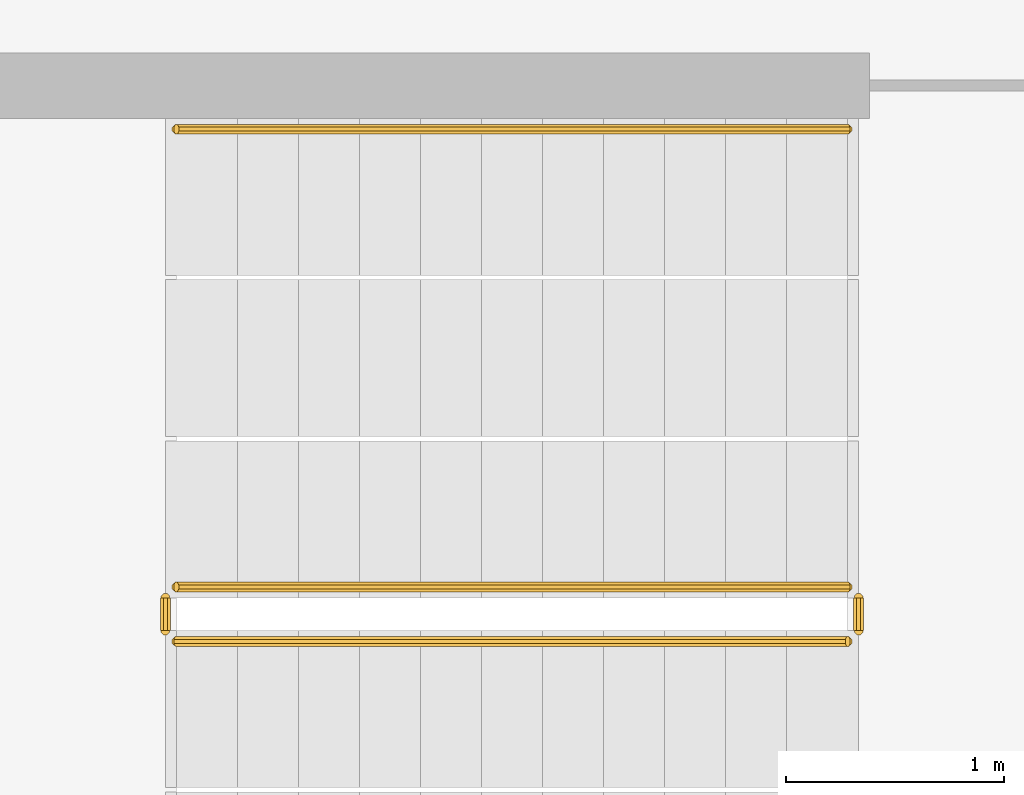
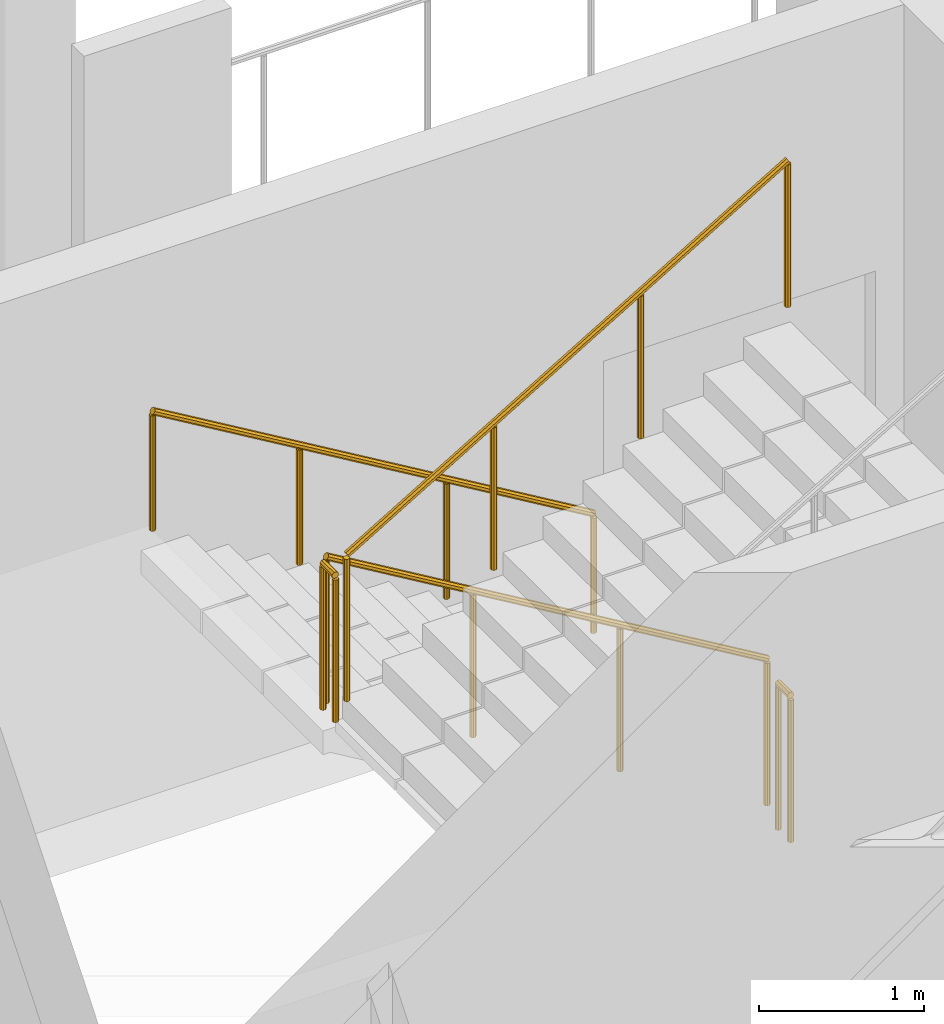
# One storey, part 20 of 28: 5 railings.
"""IFC4 building model written with IfcOpenShell, lengths in metres."""

from ifc_helpers import new_model, si_unit, direction, frame, origin, place, context, subcontext, project, spatial, polyline, outline, extrude, material, type_object, element, save


model = new_model("IFC4")

# Units and contexts
model_context = context("Model", 3, precision=1e-05, world=origin(), true_north=direction((0.0, 1.0)))
body_context = subcontext(model_context, "Body", "Model", "MODEL_VIEW")
ifc_project = project(units=[si_unit("LENGTHUNIT", "METRE"), si_unit("AREAUNIT", "SQUARE_METRE"), si_unit("VOLUMEUNIT", "CUBIC_METRE"), si_unit("PLANEANGLEUNIT", "RADIAN"), si_unit("MASSUNIT", "GRAM", prefix="KILO")], contexts=[model_context])

# Site, building, storey
site_placement = place(None, origin())
site = spatial("IfcSite", under=ifc_project, at=site_placement, CompositionType="ELEMENT")
building_placement = place(site_placement, origin())
building = spatial("IfcBuilding", under=site, at=building_placement, Name="Cormorant Relay Tower", CompositionType="ELEMENT")
storey_placement = place(building_placement, frame((0.0, 0.0, 158.199951171875)))
storey = spatial("IfcBuildingStorey", under=building, at=storey_placement, Name="L33", CompositionType="ELEMENT", Elevation=158.199951171875)

# Railings
ifc_material_1 = material(Name="Steel ASTM A572 Grade 50 (Fy 345 MPa)", Category="steel")
railing_type_1 = type_object("IfcRailingType", Name="Stair guard 1100", PredefinedType="GUARDRAIL", material=ifc_material_1)
railing_1_placement = place(storey_placement, frame((1.60009765625, -18.27490234375, 0.166748046875)))
element("IfcRailing", 1, at=railing_1_placement, inside=storey, type_object=railing_type_1, Name="L33 RK1 stair guard 1", PredefinedType="GUARDRAIL", context=body_context, shape_type="SweptSolid", body=[
    extrude(outline(polyline([(0.022216796875, 0.00927734375), (0.00927734375, 0.022216796875), (-0.00927734375, 0.022216796875), (-0.022216796875, 0.00927734375), (-0.022216796875, -0.00927734375), (-0.00927734375, -0.022216796875), (0.00927734375, -0.022216796875), (0.022216796875, -0.00927734375), (0.022216796875, 0.00927734375)])), frame((0.0, 0.0, 1.076171875), z_axis=(-0.859308565015, 0.0, 0.511457515432), x_axis=(0.0, -1.0, 0.0)), (0.0, 0.0, 1.0), 3.58447265625),
    extrude(outline(polyline([(0.019287109375, 0.008056640625), (0.008056640625, 0.019287109375), (-0.008056640625, 0.019287109375), (-0.019287109375, 0.008056640625), (-0.019287109375, -0.008056640625), (-0.008056640625, -0.019287109375), (0.008056640625, -0.019287109375), (0.019287109375, -0.008056640625), (0.019287109375, 0.008056640625)])), origin(), (0.0, 0.0, 1.0), 1.052001953125),
    extrude(outline(polyline([(0.019287109375, 0.008056640625), (0.008056640625, 0.019287109375), (-0.008056640625, 0.019287109375), (-0.019287109375, 0.008056640625), (-0.019287109375, -0.008056640625), (-0.008056640625, -0.019287109375), (0.008056640625, -0.019287109375), (0.019287109375, -0.008056640625), (0.019287109375, 0.008056640625)])), frame((-1.026611328125, 0.0, 0.611083984375)), (0.0, 0.0, 1.0), 1.052001953125),
    extrude(outline(polyline([(0.019287109375, 0.008056640625), (0.008056640625, 0.019287109375), (-0.008056640625, 0.019287109375), (-0.019287109375, 0.008056640625), (-0.019287109375, -0.008056640625), (-0.008056640625, -0.019287109375), (0.008056640625, -0.019287109375), (0.019287109375, -0.008056640625), (0.019287109375, 0.008056640625)])), frame((-2.053466796875, 0.0, 1.22216796875)), (0.0, 0.0, 1.0), 1.052001953125),
    extrude(outline(polyline([(0.019287109375, 0.008056640625), (0.008056640625, 0.019287109375), (-0.008056640625, 0.019287109375), (-0.019287109375, 0.008056640625), (-0.019287109375, -0.008056640625), (-0.008056640625, -0.019287109375), (0.008056640625, -0.019287109375), (0.019287109375, -0.008056640625), (0.019287109375, 0.008056640625)])), frame((-3.080078125, 0.0, 1.833251953125)), (0.0, 0.0, 1.0), 1.052001953125),
])
railing_2_placement = place(storey_placement, frame((-1.530029296875, -18.324951171875, 2.0)))
element("IfcRailing", 2, at=railing_2_placement, inside=storey, type_object=railing_type_1, Name="L33 RK1 stair guard 2", PredefinedType="GUARDRAIL", context=body_context, shape_type="SweptSolid", body=[
    extrude(outline(polyline([(0.022216796875, 0.00927734375), (0.00927734375, 0.022216796875), (-0.00927734375, 0.022216796875), (-0.022216796875, 0.00927734375), (-0.022216796875, -0.00927734375), (-0.00927734375, -0.022216796875), (0.00927734375, -0.022216796875), (0.022216796875, -0.00927734375), (0.022216796875, 0.00927734375)])), frame((0.0, 0.0, 1.076171875), z_axis=(0.0, -1.0, 0.0), x_axis=(1.0, 0.0, 0.0)), (0.0, 0.0, 1.0), 0.150146484375),
    extrude(outline(polyline([(0.019287109375, 0.008056640625), (0.008056640625, 0.019287109375), (-0.008056640625, 0.019287109375), (-0.019287109375, 0.008056640625), (-0.019287109375, -0.008056640625), (-0.008056640625, -0.019287109375), (0.008056640625, -0.019287109375), (0.019287109375, -0.008056640625), (0.019287109375, 0.008056640625)])), origin(), (0.0, 0.0, 1.0), 1.052001953125),
    extrude(outline(polyline([(0.019287109375, 0.008056640625), (0.008056640625, 0.019287109375), (-0.008056640625, 0.019287109375), (-0.019287109375, 0.008056640625), (-0.019287109375, -0.008056640625), (-0.008056640625, -0.019287109375), (0.008056640625, -0.019287109375), (0.019287109375, -0.008056640625), (0.019287109375, 0.008056640625)])), frame((0.0, -0.150146484375, 0.0)), (0.0, 0.0, 1.0), 1.052001953125),
])
railing_3_placement = place(storey_placement, frame((-1.47998046875, -18.52490234375, 2.166748046875)))
element("IfcRailing", 3, at=railing_3_placement, inside=storey, type_object=railing_type_1, Name="L33 RK1 stair guard 3", PredefinedType="GUARDRAIL", context=body_context, shape_type="SweptSolid", body=[
    extrude(outline(polyline([(0.022216796875, 0.00927734375), (0.00927734375, 0.022216796875), (-0.00927734375, 0.022216796875), (-0.022216796875, 0.00927734375), (-0.022216796875, -0.00927734375), (-0.00927734375, -0.022216796875), (0.00927734375, -0.022216796875), (0.022216796875, -0.00927734375), (0.022216796875, 0.00927734375)])), frame((0.0, 0.0, 1.076171875), z_axis=(0.859308565015, 0.0, 0.511457515432), x_axis=(0.0, 1.0, 0.0)), (0.0, 0.0, 1.0), 3.58447265625),
    extrude(outline(polyline([(0.019287109375, 0.008056640625), (0.008056640625, 0.019287109375), (-0.008056640625, 0.019287109375), (-0.019287109375, 0.008056640625), (-0.019287109375, -0.008056640625), (-0.008056640625, -0.019287109375), (0.008056640625, -0.019287109375), (0.019287109375, -0.008056640625), (0.019287109375, 0.008056640625)])), origin(), (0.0, 0.0, 1.0), 1.052001953125),
    extrude(outline(polyline([(0.019287109375, 0.008056640625), (0.008056640625, 0.019287109375), (-0.008056640625, 0.019287109375), (-0.019287109375, 0.008056640625), (-0.019287109375, -0.008056640625), (-0.008056640625, -0.019287109375), (0.008056640625, -0.019287109375), (0.019287109375, -0.008056640625), (0.019287109375, 0.008056640625)])), frame((1.026611328125, 0.0, 0.611083984375)), (0.0, 0.0, 1.0), 1.052001953125),
    extrude(outline(polyline([(0.019287109375, 0.008056640625), (0.008056640625, 0.019287109375), (-0.008056640625, 0.019287109375), (-0.019287109375, 0.008056640625), (-0.019287109375, -0.008056640625), (-0.008056640625, -0.019287109375), (0.008056640625, -0.019287109375), (0.019287109375, -0.008056640625), (0.019287109375, 0.008056640625)])), frame((2.053466796875, 0.0, 1.22216796875)), (0.0, 0.0, 1.0), 1.052001953125),
    extrude(outline(polyline([(0.019287109375, 0.008056640625), (0.008056640625, 0.019287109375), (-0.008056640625, 0.019287109375), (-0.019287109375, 0.008056640625), (-0.019287109375, -0.008056640625), (-0.008056640625, -0.019287109375), (0.008056640625, -0.019287109375), (0.019287109375, -0.008056640625), (0.019287109375, 0.008056640625)])), frame((3.080078125, 0.0, 1.833251953125)), (0.0, 0.0, 1.0), 1.052001953125),
])
railing_4_placement = place(storey_placement, frame((1.64990234375, -18.324951171875, 0.0)))
element("IfcRailing", 4, at=railing_4_placement, inside=storey, type_object=railing_type_1, Name="L33 RK1 stair guard 4", PredefinedType="GUARDRAIL", context=body_context, shape_type="SweptSolid", body=[
    extrude(outline(polyline([(0.022216796875, 0.00927734375), (0.00927734375, 0.022216796875), (-0.00927734375, 0.022216796875), (-0.022216796875, 0.00927734375), (-0.022216796875, -0.00927734375), (-0.00927734375, -0.022216796875), (0.00927734375, -0.022216796875), (0.022216796875, -0.00927734375), (0.022216796875, 0.00927734375)])), frame((0.0, 0.0, 1.076171875), z_axis=(0.0, -1.0, 0.0), x_axis=(1.0, 0.0, 0.0)), (0.0, 0.0, 1.0), 0.150146484375),
    extrude(outline(polyline([(0.019287109375, 0.008056640625), (0.008056640625, 0.019287109375), (-0.008056640625, 0.019287109375), (-0.019287109375, 0.008056640625), (-0.019287109375, -0.008056640625), (-0.008056640625, -0.019287109375), (0.008056640625, -0.019287109375), (0.019287109375, -0.008056640625), (0.019287109375, 0.008056640625)])), origin(), (0.0, 0.0, 1.0), 1.052001953125),
    extrude(outline(polyline([(0.019287109375, 0.008056640625), (0.008056640625, 0.019287109375), (-0.008056640625, 0.019287109375), (-0.019287109375, 0.008056640625), (-0.019287109375, -0.008056640625), (-0.008056640625, -0.019287109375), (0.008056640625, -0.019287109375), (0.019287109375, -0.008056640625), (0.019287109375, 0.008056640625)])), frame((0.0, -0.150146484375, 0.0)), (0.0, 0.0, 1.0), 1.052001953125),
])
ifc_material_2 = material(Name="Steel ASTM A572 Grade 50 (Fy 345 MPa)", Category="steel")
railing_type_2 = type_object("IfcRailingType", Name="Stair handrail 900", PredefinedType="HANDRAIL", material=ifc_material_2)
railing_5_placement = place(storey_placement, frame((1.60009765625, -16.175048828125, 0.166748046875)))
element("IfcRailing", 5, at=railing_5_placement, inside=storey, type_object=railing_type_2, Name="L33 RK1 stair handrail 1", PredefinedType="HANDRAIL", context=body_context, shape_type="SweptSolid", body=[
    extrude(outline(polyline([(0.022216796875, 0.00927734375), (0.00927734375, 0.022216796875), (-0.00927734375, 0.022216796875), (-0.022216796875, 0.00927734375), (-0.022216796875, -0.00927734375), (-0.00927734375, -0.022216796875), (0.00927734375, -0.022216796875), (0.022216796875, -0.00927734375), (0.022216796875, 0.00927734375)])), frame((0.0, 0.0, 0.8759765625), z_axis=(-0.859308565015, 0.0, 0.511457515432), x_axis=(0.0, -1.0, 0.0)), (0.0, 0.0, 1.0), 3.58447265625),
    extrude(outline(polyline([(0.019287109375, 0.008056640625), (0.008056640625, 0.019287109375), (-0.008056640625, 0.019287109375), (-0.019287109375, 0.008056640625), (-0.019287109375, -0.008056640625), (-0.008056640625, -0.019287109375), (0.008056640625, -0.019287109375), (0.019287109375, -0.008056640625), (0.019287109375, 0.008056640625)])), origin(), (0.0, 0.0, 1.0), 0.851806640625),
    extrude(outline(polyline([(0.019287109375, 0.008056640625), (0.008056640625, 0.019287109375), (-0.008056640625, 0.019287109375), (-0.019287109375, 0.008056640625), (-0.019287109375, -0.008056640625), (-0.008056640625, -0.019287109375), (0.008056640625, -0.019287109375), (0.019287109375, -0.008056640625), (0.019287109375, 0.008056640625)])), frame((-1.026611328125, 0.0, 0.611083984375)), (0.0, 0.0, 1.0), 0.851806640625),
    extrude(outline(polyline([(0.019287109375, 0.008056640625), (0.008056640625, 0.019287109375), (-0.008056640625, 0.019287109375), (-0.019287109375, 0.008056640625), (-0.019287109375, -0.008056640625), (-0.008056640625, -0.019287109375), (0.008056640625, -0.019287109375), (0.019287109375, -0.008056640625), (0.019287109375, 0.008056640625)])), frame((-2.053466796875, 0.0, 1.22216796875)), (0.0, 0.0, 1.0), 0.851806640625),
    extrude(outline(polyline([(0.019287109375, 0.008056640625), (0.008056640625, 0.019287109375), (-0.008056640625, 0.019287109375), (-0.019287109375, 0.008056640625), (-0.019287109375, -0.008056640625), (-0.008056640625, -0.019287109375), (0.008056640625, -0.019287109375), (0.019287109375, -0.008056640625), (0.019287109375, 0.008056640625)])), frame((-3.080078125, 0.0, 1.833251953125)), (0.0, 0.0, 1.0), 0.851806640625),
])

save(model, "model.ifc")
